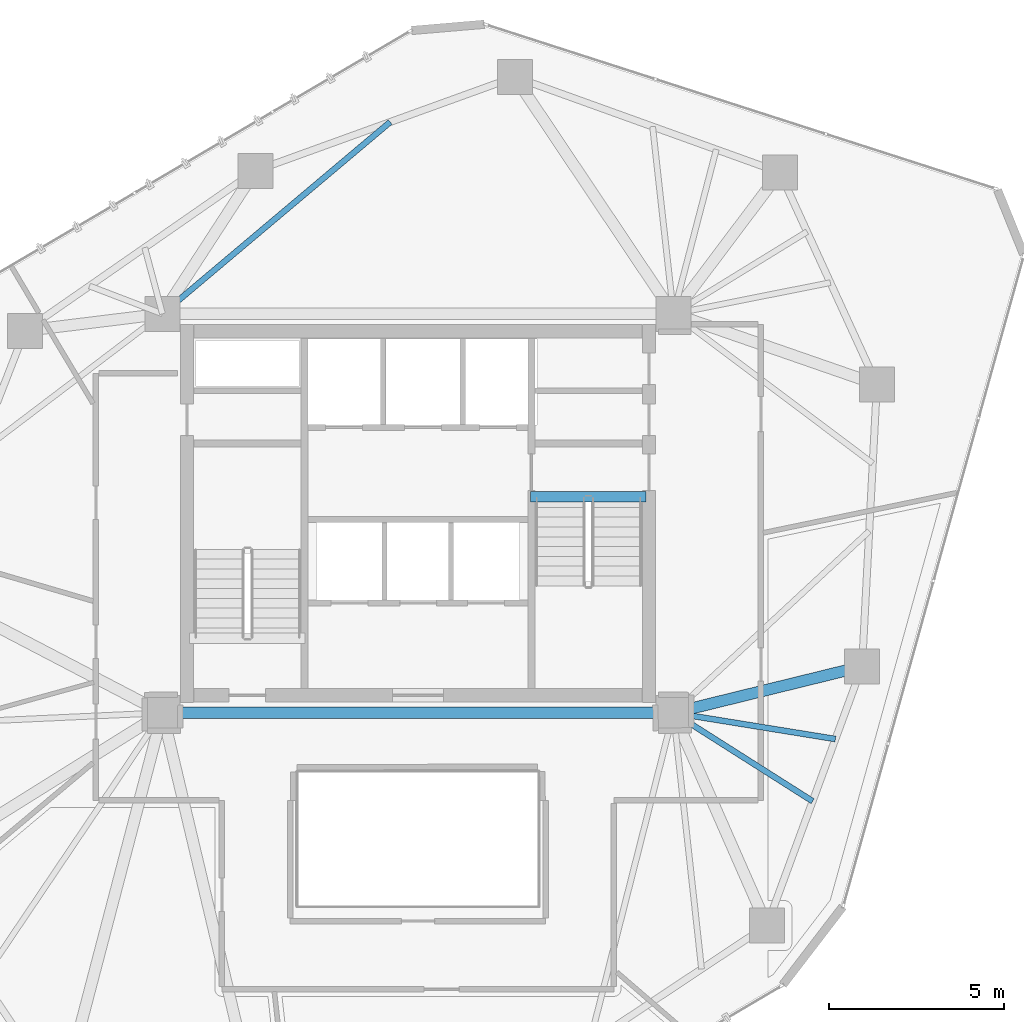
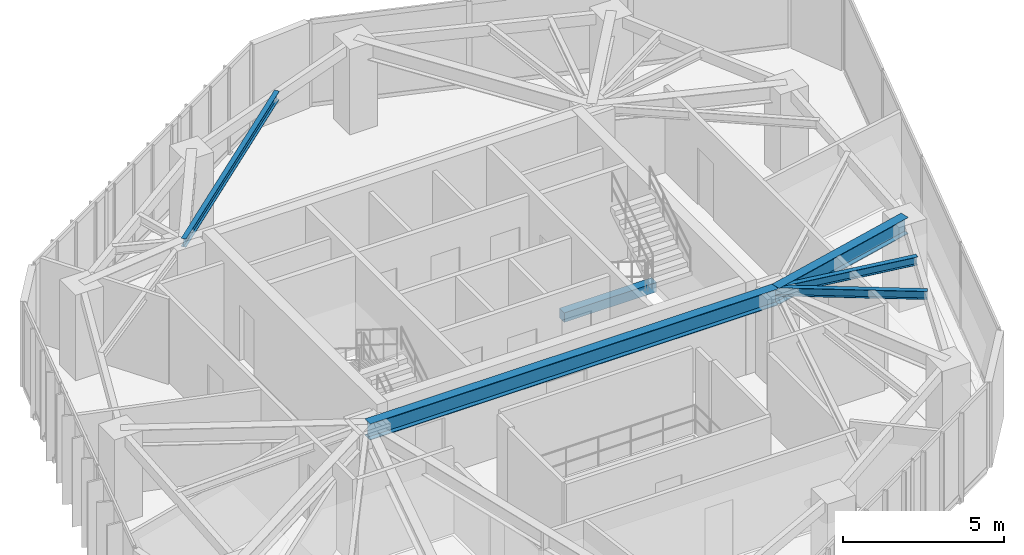
# One storey, part 8 of 19: 6 beams.
"""IFC4 building model written with IfcOpenShell, lengths in metres."""

from ifc_helpers import new_model, si_unit, direction, frame, origin, origin_2d, place, context, subcontext, project, spatial, rectangle, i_section, extrude, material, material_profile, profile_set, type_object, element, save


model = new_model("IFC4")

# Units and contexts
model_context = context("Model", 3, precision=1e-05, world=origin(), true_north=direction((0.0, 1.0)))
body_context = subcontext(model_context, "Body", "Model", "MODEL_VIEW")
ifc_project = project(units=[si_unit("LENGTHUNIT", "METRE"), si_unit("AREAUNIT", "SQUARE_METRE"), si_unit("VOLUMEUNIT", "CUBIC_METRE"), si_unit("PLANEANGLEUNIT", "RADIAN"), si_unit("MASSUNIT", "GRAM", prefix="KILO")], contexts=[model_context])

# Site, building, storey
site_placement = place(None, origin())
site = spatial("IfcSite", under=ifc_project, at=site_placement, CompositionType="ELEMENT")
building_placement = place(site_placement, origin())
building = spatial("IfcBuilding", under=site, at=building_placement, Name="Talar Marvaseh", CompositionType="ELEMENT")
storey_placement = place(building_placement, frame((0.0, 0.0, 181.0)))
storey = spatial("IfcBuildingStorey", under=building, at=storey_placement, Name="L47", CompositionType="ELEMENT", Elevation=181.0)

# Beams
ifc_material_1 = material(Name="Concrete C40/50", Category="concrete")
ifc_material_profile_1 = material_profile(ifc_material_1, rectangle(XDim=0.300048828125, YDim=0.360107421875, at=origin_2d()), Name="RC300x360")
ifc_profile_set_1 = profile_set([ifc_material_profile_1], Name="Concrete C40/50")
beam_type_1 = type_object("IfcBeamType", Name="Concrete Stair Landing Trimmer Beam RC300x360", PredefinedType="SPANDREL", material=ifc_profile_set_1)
beam_1_placement = place(storey_placement, frame((29.219970703125, 31.669921875, -0.179931640625), z_axis=(1.0, 0.0, 0.0), x_axis=(0.0, 1.0, 0.0)))
element("IfcBeam", 1, at=beam_1_placement, inside=storey, type_object=beam_type_1, Name="L47 ST-2 Stair Nosing Trimmer Beam", PredefinedType="SPANDREL", context=body_context, shape_type="SweptSolid", body=[
    extrude(rectangle(XDim=0.300048828125, YDim=0.360107421875, at=origin_2d()), origin(), (0.0, 0.0, 1.0), 3.300048828125),
])
ifc_material_2 = material(Name="Steel S355", Category="steel")
ifc_material_profile_2 = material_profile(ifc_material_2, i_section(OverallWidth=0.324951171875, OverallDepth=0.615966796875, WebThickness=0.013916015625, FlangeThickness=0.021484375, at=origin_2d()), Name="W610x174")
ifc_profile_set_2 = profile_set([ifc_material_profile_2], Name="Steel S355")
beam_type_2 = type_object("IfcBeamType", Name="Zone 3 Radial Floor Girder W610x174", PredefinedType="BEAM", material=ifc_profile_set_2)
beam_2_placement = place(storey_placement, frame((18.699951171875, 25.5, 2.922119140625), z_axis=(1.0, 0.0, 0.0), x_axis=(0.0, 1.0, 0.0)))
element("IfcBeam", 2, at=beam_2_placement, inside=storey, type_object=beam_type_2, Name="L47 Zone 3 Radial Floor Girder W610x174", PredefinedType="BEAM", context=body_context, shape_type="SweptSolid", body=[
    extrude(i_section(OverallWidth=0.324951171875, OverallDepth=0.615966796875, WebThickness=0.013916015625, FlangeThickness=0.021484375, at=origin_2d()), origin(), (0.0, 0.0, 1.0), 14.60009765625),
])
beam_3_placement = place(storey_placement, frame((38.68896484375, 26.823974609375, 2.922119140625), z_axis=(-0.971120507527, -0.238589521692, 0.0), x_axis=(0.238589521692, -0.971120507527, 0.0)))
element("IfcBeam", 3, at=beam_3_placement, inside=storey, type_object=beam_type_2, Name="L47 Zone 3 Radial Floor Girder W610x174", PredefinedType="BEAM", context=body_context, shape_type="SweptSolid", body=[
    extrude(i_section(OverallWidth=0.324951171875, OverallDepth=0.615966796875, WebThickness=0.013916015625, FlangeThickness=0.021484375, at=origin_2d()), origin(), (0.0, 0.0, 1.0), 5.549072265625),
])
ifc_material_profile_3 = material_profile(ifc_material_2, i_section(OverallWidth=0.166015625, OverallDepth=0.31298828125, WebThickness=0.006591796875, FlangeThickness=0.01123046875, at=origin_2d()), Name="W310x45")
ifc_profile_set_3 = profile_set([ifc_material_profile_3], Name="Steel S355")
beam_type_3 = type_object("IfcBeamType", Name="Zone 3 Secondary Floor Joist W310x45", PredefinedType="JOIST", material=ifc_profile_set_3)
beam_4_placement = place(storey_placement, frame((37.927978515625, 24.751708984375, 3.073486328125), z_axis=(-0.987178985963, 0.159617197298, 0.0), x_axis=(-0.159617197298, -0.987178985963, 0.0)))
element("IfcBeam", 4, at=beam_4_placement, inside=storey, type_object=beam_type_3, Name="L47 Zone 3 Secondary Floor Joist W310x45", PredefinedType="JOIST", context=body_context, shape_type="SweptSolid", body=[
    extrude(i_section(OverallWidth=0.166015625, OverallDepth=0.31298828125, WebThickness=0.006591796875, FlangeThickness=0.01123046875, at=origin_2d()), origin(), (0.0, 0.0, 1.0), 4.68798828125),
])
beam_5_placement = place(storey_placement, frame((37.275634765625, 22.9755859375, 3.073486328125), z_axis=(-0.844190472961, 0.536043324147, 0.0), x_axis=(-0.536043324147, -0.844190472961, 0.0)))
element("IfcBeam", 5, at=beam_5_placement, inside=storey, type_object=beam_type_3, Name="L47 Zone 3 Secondary Floor Joist W310x45", PredefinedType="JOIST", context=body_context, shape_type="SweptSolid", body=[
    extrude(i_section(OverallWidth=0.166015625, OverallDepth=0.31298828125, WebThickness=0.006591796875, FlangeThickness=0.01123046875, at=origin_2d()), origin(), (0.0, 0.0, 1.0), 4.709228515625),
])
beam_6_placement = place(storey_placement, frame((25.207275390625, 42.380615234375, 3.073486328125), z_axis=(-0.76486133839, -0.644194949558, 0.0), x_axis=(0.644194949558, -0.76486133839, 0.0)))
element("IfcBeam", 6, at=beam_6_placement, inside=storey, type_object=beam_type_3, Name="L47 Zone 3 Secondary Floor Joist W310x45", PredefinedType="JOIST", context=body_context, shape_type="SweptSolid", body=[
    extrude(i_section(OverallWidth=0.166015625, OverallDepth=0.31298828125, WebThickness=0.006591796875, FlangeThickness=0.01123046875, at=origin_2d()), origin(), (0.0, 0.0, 1.0), 8.5078125),
])

save(model, "model.ifc")
